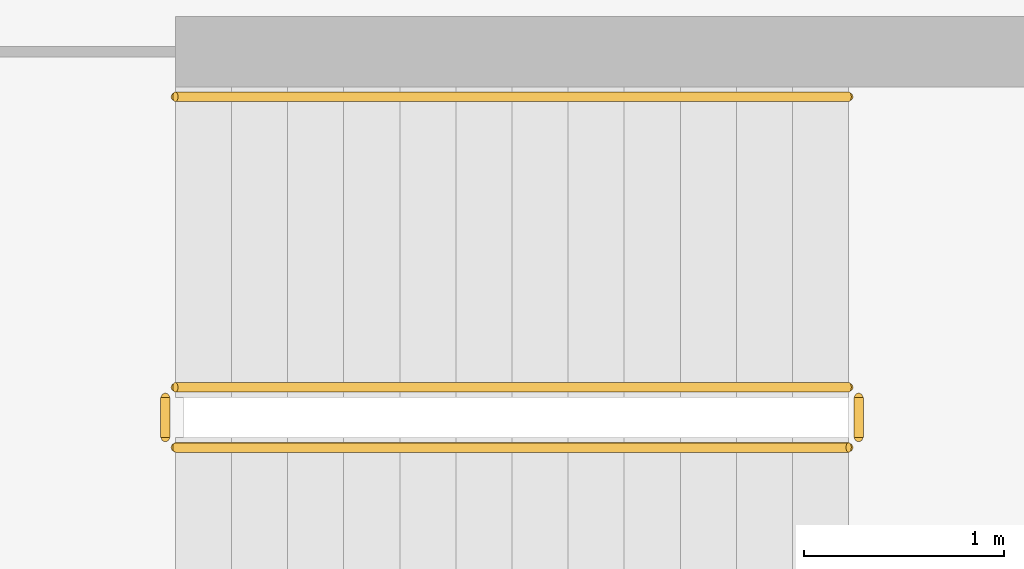
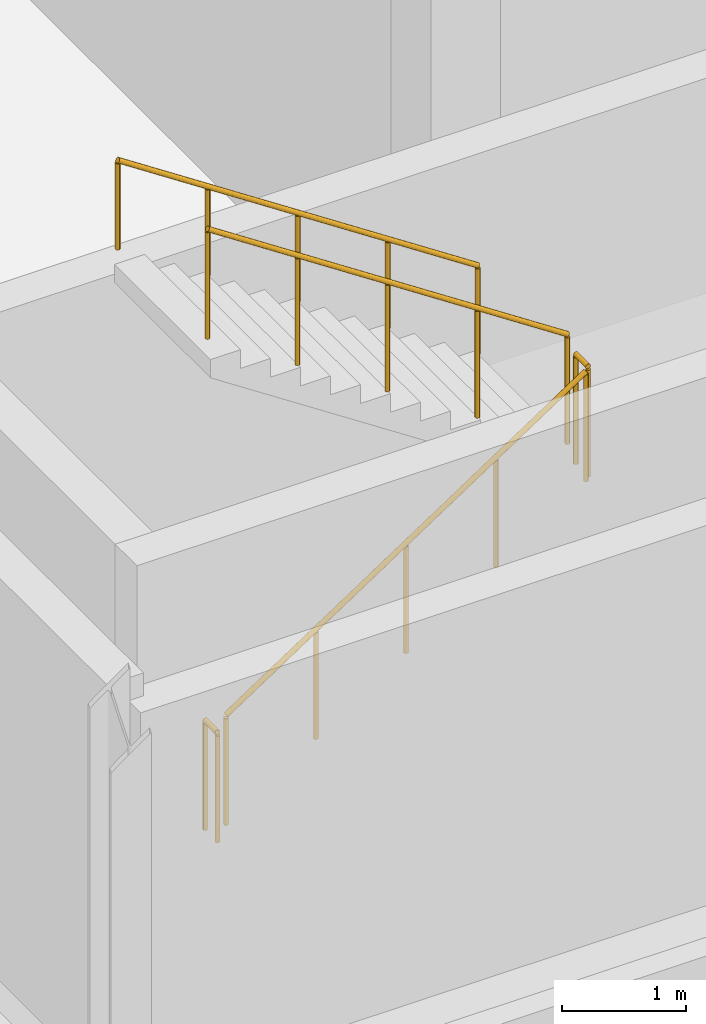
# One storey, part 113 of 127: 5 railings.
"""IFC4 building model written with IfcOpenShell, lengths in metres."""

import ifcopenshell
import ifcopenshell.guid

model = None  # the IFC model being written
_history = None  # IfcOwnerHistory: only IFC2X3 demands one
_inside = {}  # id of a spatial element -> (the spatial element, [elements in it])
_under = {}  # id of a project, library or spatial element -> (it, [spatial elements below it])
_declared = {}  # id of a project -> (the project, [libraries it declares])
_typed = {}  # id of a type object -> (the type object, [elements of that type])
_made_of = {}  # id of a material, layer set ... -> (it, [elements and type objects made of it])


def new_model(schema):
    """Start an empty IFC model of exactly this schema.

    Asked for "IFC4X3", IfcOpenShell would pick the latest addendum, in which some entities
    have other attributes; the version numbers below select the first issue.
    IFC2X3 requires an IfcOwnerHistory on every rooted entity: one is made here for all.
    """
    global model, _history
    if schema == "IFC4X3":
        model = ifcopenshell.file(schema_version=(4, 3, 0, 0))
    else:
        model = ifcopenshell.file(schema=schema)
    _inside.clear()
    _under.clear()
    _declared.clear()
    _typed.clear()
    _made_of.clear()
    _history = None
    if model.schema == "IFC2X3":
        org = make("IfcOrganization", Name="unknown")
        user = make(
            "IfcPersonAndOrganization",
            ThePerson=make("IfcPerson", FamilyName="unknown"),
            TheOrganization=org,
        )
        app = make(
            "IfcApplication",
            ApplicationDeveloper=org,
            Version="unknown",
            ApplicationFullName="unknown",
            ApplicationIdentifier="unknown",
        )
        _history = make(
            "IfcOwnerHistory",
            OwningUser=user,
            OwningApplication=app,
            ChangeAction="ADDED",
            CreationDate=0,
        )
    return model


def make(cls, **values):
    """One entity of the class cls with the attributes given. An attribute that is None is left unset."""
    return model.create_entity(
        cls, **{name: value for name, value in values.items() if value is not None}
    )


def rooted(cls, **values):
    """An entity with a GlobalId (a new one), such as an element, a storey or a relation."""
    return make(cls, GlobalId=ifcopenshell.guid.new(), OwnerHistory=_history, **values)


def si_unit(unit_type, name, prefix=None):
    """IfcSIUnit, for example si_unit("LENGTHUNIT", "METRE", prefix="MILLI")."""
    return make("IfcSIUnit", UnitType=unit_type, Prefix=prefix, Name=name)


def assignment(units):
    """IfcUnitAssignment: the units of a project."""
    return None if units is None else make("IfcUnitAssignment", Units=units)


def point(xyz):
    """IfcCartesianPoint."""
    return None if xyz is None else make("IfcCartesianPoint", Coordinates=xyz)


def direction(xyz):
    """IfcDirection."""
    return None if xyz is None else make("IfcDirection", DirectionRatios=xyz)


def frame(location, z_axis=None, x_axis=None):
    """IfcAxis2Placement3D, a coordinate frame: its origin and axes. An axis left out is left unset."""
    return make(
        "IfcAxis2Placement3D",
        Location=point(location),
        Axis=direction(z_axis),
        RefDirection=direction(x_axis),
    )


def frame_2d(location, x_axis=None):
    """IfcAxis2Placement2D, a coordinate frame in the plane: its origin and x axis."""
    return make(
        "IfcAxis2Placement2D", Location=point(location), RefDirection=direction(x_axis)
    )


def origin():
    """The frame at (0, 0, 0) with its axes left unset."""
    return frame((0.0, 0.0, 0.0))


def origin_2d():
    """The frame at (0, 0) in the plane with its x axis left unset."""
    return frame_2d((0.0, 0.0))


def place(relative_to, where):
    """IfcLocalPlacement: puts the frame where relative to a parent placement (None: the world)."""
    return make(
        "IfcLocalPlacement", PlacementRelTo=relative_to, RelativePlacement=where
    )


def context(
    kind, dimensions, precision=None, world=None, true_north=None, identifier=None
):
    """IfcGeometricRepresentationContext, for example the 3D "Model" context."""
    return make(
        "IfcGeometricRepresentationContext",
        ContextIdentifier=identifier,
        ContextType=kind,
        CoordinateSpaceDimension=dimensions,
        Precision=precision,
        WorldCoordinateSystem=world,
        TrueNorth=true_north,
    )


def subcontext(parent, identifier, kind, view, scale=None):
    """IfcGeometricRepresentationSubContext, for example "Body" below "Model"."""
    return make(
        "IfcGeometricRepresentationSubContext",
        ContextIdentifier=identifier,
        ContextType=kind,
        ParentContext=parent,
        TargetScale=scale,
        TargetView=view,
    )


def project(units=None, contexts=None):
    """IfcProject with its units and contexts."""
    return rooted(
        "IfcProject",
        Name="project",
        RepresentationContexts=contexts,
        UnitsInContext=assignment(units),
    )


def spatial(cls, under=None, at=None, **own):
    """A site, building, storey or space (cls), placed at a placement, below another one or the project."""
    s = rooted(cls, ObjectPlacement=at, **own)
    if under is not None:
        _under.setdefault(under.id(), (under, []))[1].append(s)
    return s


def profile(cls, at=None, kind="AREA", **sizes):
    """A parametric profile (cls). Its sizes go by their IFC names, for example OverallWidth=200.0."""
    return make(cls, ProfileType=kind, Position=at, **sizes)


def circle(**sizes):
    """IfcCircleProfileDef."""
    return profile("IfcCircleProfileDef", **sizes)


def extrude(swept, where, along, depth):
    """IfcExtrudedAreaSolid: the profile swept, set in the frame where, extruded along a direction by depth."""
    return make(
        "IfcExtrudedAreaSolid",
        SweptArea=swept,
        Position=where,
        ExtrudedDirection=direction(along),
        Depth=depth,
    )


def shape(context_of_items, identifier, shape_type, items):
    """IfcShapeRepresentation: the items that make up one representation, for example the "Body"."""
    return make(
        "IfcShapeRepresentation",
        ContextOfItems=context_of_items,
        RepresentationIdentifier=identifier,
        RepresentationType=shape_type,
        Items=items,
    )


def material(Name=None, Category=None):
    """IfcMaterial."""
    return make("IfcMaterial", Name=Name, Category=Category)


def made_of(thing, what):
    """Note that an element or type object is made of a material, layer set ...; save() writes the relation."""
    if what is not None:
        _made_of.setdefault(what.id(), (what, []))[1].append(thing)
    return thing


def type_object(cls, material=None, **own):
    """A type object (cls), such as IfcWallType, which elements share."""
    return made_of(rooted(cls, **own), material)


def element(
    cls,
    number,
    at=None,
    inside=None,
    cuts=None,
    type_object=None,
    material=None,
    context=None,
    identifier="Body",
    shape_type=None,
    held_by="IfcProductDefinitionShape",
    body=None,
    shapes=None,
    **own,
):
    """One element of the class cls, such as IfcWall. Its Tag is "e" and its number.

    at: its placement. inside: the storey or other place that contains it. cuts: it is an
    opening in that element (IfcRelVoidsElement). A single representation is given by context,
    identifier, shape_type and body (its items); several are given by shapes. held_by: the class
    of the entity that holds the representations. save() writes the other relations.
    """
    e = rooted(cls, Tag="e%d" % number, ObjectPlacement=at, **own)
    if body is not None:
        shapes = [shape(context, identifier, shape_type, body)]
    if shapes is not None:
        e.Representation = make(held_by, Representations=shapes)
    if inside is not None:
        _inside.setdefault(inside.id(), (inside, []))[1].append(e)
    if cuts is not None:
        rooted(
            "IfcRelVoidsElement", RelatingBuildingElement=cuts, RelatedOpeningElement=e
        )
    if type_object is not None:
        _typed.setdefault(type_object.id(), (type_object, []))[1].append(e)
    return made_of(e, material)


def aggregate(whole, parts):
    """IfcRelAggregates: a whole, such as a stair, and the parts it consists of."""
    return rooted("IfcRelAggregates", RelatingObject=whole, RelatedObjects=parts)


def save(model, path):
    """Write the relations noted so far, then the file.

    IfcRelAggregates (storeys below a building ...), IfcRelContainedInSpatialStructure (elements
    in a storey), IfcRelDefinesByType, IfcRelAssociatesMaterial and IfcRelDeclares: one each for
    every whole, place, type object, material and project.
    """
    for whole, parts in _under.values():
        aggregate(whole, parts)
    for where, things in _inside.values():
        rooted(
            "IfcRelContainedInSpatialStructure",
            RelatedElements=things,
            RelatingStructure=where,
        )
    for kind, things in _typed.values():
        rooted("IfcRelDefinesByType", RelatedObjects=things, RelatingType=kind)
    for what, things in _made_of.values():
        rooted("IfcRelAssociatesMaterial", RelatedObjects=things, RelatingMaterial=what)
    for by, libraries in _declared.values():
        rooted("IfcRelDeclares", RelatingContext=by, RelatedDefinitions=libraries)
    model.write(path)


model = new_model("IFC4")

# Units and contexts
model_context = context("Model", 3, precision=1e-05, world=origin(), true_north=direction((0.0, 1.0)))
body_context = subcontext(model_context, "Body", "Model", "MODEL_VIEW")
ifc_project = project(units=[si_unit("LENGTHUNIT", "METRE"), si_unit("AREAUNIT", "SQUARE_METRE"), si_unit("VOLUMEUNIT", "CUBIC_METRE"), si_unit("PLANEANGLEUNIT", "RADIAN"), si_unit("MASSUNIT", "GRAM", prefix="KILO")], contexts=[model_context])

# Site, building, storey
site_placement = place(None, origin())
site = spatial("IfcSite", under=ifc_project, at=site_placement, CompositionType="ELEMENT")
building_placement = place(site_placement, origin())
building = spatial("IfcBuilding", under=site, at=building_placement, Name="Kalmorath City Hall", CompositionType="ELEMENT")
storey_placement = place(building_placement, frame((0.0, 0.0, 5.39990234375)))
storey = spatial("IfcBuildingStorey", under=building, at=storey_placement, Name="L01", CompositionType="ELEMENT", Elevation=5.39990234375)

# Railings
ifc_material_1 = material(Name="Painted steel guardrail", Category="steel")
railing_type_1 = type_object("IfcRailingType", Name="Protected stair guardrail 1100", PredefinedType="GUARDRAIL", material=ifc_material_1)
railing_1_placement = place(storey_placement, frame((117.75, 2.699951171875, 0.184814453125)))
element("IfcRailing", 1, at=railing_1_placement, inside=storey, type_object=railing_type_1, Name="L01 ST-5 stair guard 1", PredefinedType="GUARDRAIL", context=body_context, shape_type="SweptSolid", body=[
    extrude(circle(Radius=0.02392578125, at=origin_2d()), frame((0.0, 0.0, 1.076171875), z_axis=(0.834876476806, 0.0, 0.550437342915), x_axis=(0.0, 1.0, 0.0)), (0.0, 0.0, 1.0), 4.024658203125),
    extrude(circle(Radius=0.02099609375, at=origin_2d()), origin(), (0.0, 0.0, 1.0), 1.052001953125),
    extrude(circle(Radius=0.02099609375, at=origin_2d()), frame((0.840087890625, 0.0, 0.5537109375)), (0.0, 0.0, 1.0), 1.052001953125),
    extrude(circle(Radius=0.02099609375, at=origin_2d()), frame((1.68017578125, 0.0, 1.107666015625)), (0.0, 0.0, 1.0), 1.052001953125),
    extrude(circle(Radius=0.02099609375, at=origin_2d()), frame((2.52001953125, 0.0, 1.66162109375)), (0.0, 0.0, 1.0), 1.052001953125),
    extrude(circle(Radius=0.02099609375, at=origin_2d()), frame((3.360107421875, 0.0, 2.21533203125)), (0.0, 0.0, 1.0), 1.052001953125),
])
railing_2_placement = place(storey_placement, frame((121.159912109375, 2.75, 2.400146484375)))
element("IfcRailing", 2, at=railing_2_placement, inside=storey, type_object=railing_type_1, Name="L01 ST-5 stair guard 2", PredefinedType="GUARDRAIL", context=body_context, shape_type="SweptSolid", body=[
    extrude(circle(Radius=0.02392578125, at=origin_2d()), frame((0.0, 0.0, 1.076171875), z_axis=(0.0, 1.0, 0.0), x_axis=(-1.0, 0.0, 0.0)), (0.0, 0.0, 1.0), 0.199951171875),
    extrude(circle(Radius=0.02099609375, at=origin_2d()), origin(), (0.0, 0.0, 1.0), 1.052001953125),
    extrude(circle(Radius=0.02099609375, at=origin_2d()), frame((0.0, 0.199951171875, 0.0)), (0.0, 0.0, 1.0), 1.052001953125),
])
railing_3_placement = place(storey_placement, frame((121.110107421875, 3.0, 2.584716796875)))
element("IfcRailing", 3, at=railing_3_placement, inside=storey, type_object=railing_type_1, Name="L01 ST-5 stair guard 3", PredefinedType="GUARDRAIL", context=body_context, shape_type="SweptSolid", body=[
    extrude(circle(Radius=0.02392578125, at=origin_2d()), frame((0.0, 0.0, 1.076171875), z_axis=(-0.834876476806, 0.0, 0.550437342915), x_axis=(0.0, -1.0, 0.0)), (0.0, 0.0, 1.0), 4.024658203125),
    extrude(circle(Radius=0.02099609375, at=origin_2d()), origin(), (0.0, 0.0, 1.0), 1.052001953125),
    extrude(circle(Radius=0.02099609375, at=origin_2d()), frame((-0.840087890625, 0.0, 0.5537109375)), (0.0, 0.0, 1.0), 1.052001953125),
    extrude(circle(Radius=0.02099609375, at=origin_2d()), frame((-1.68017578125, 0.0, 1.107666015625)), (0.0, 0.0, 1.0), 1.052001953125),
    extrude(circle(Radius=0.02099609375, at=origin_2d()), frame((-2.52001953125, 0.0, 1.66162109375)), (0.0, 0.0, 1.0), 1.052001953125),
    extrude(circle(Radius=0.02099609375, at=origin_2d()), frame((-3.360107421875, 0.0, 2.21533203125)), (0.0, 0.0, 1.0), 1.052001953125),
])
railing_4_placement = place(storey_placement, frame((117.699951171875, 2.75, 0.0)))
element("IfcRailing", 4, at=railing_4_placement, inside=storey, type_object=railing_type_1, Name="L01 ST-5 stair guard 4", PredefinedType="GUARDRAIL", context=body_context, shape_type="SweptSolid", body=[
    extrude(circle(Radius=0.02392578125, at=origin_2d()), frame((0.0, 0.0, 1.076171875), z_axis=(0.0, 1.0, 0.0), x_axis=(-1.0, 0.0, 0.0)), (0.0, 0.0, 1.0), 0.199951171875),
    extrude(circle(Radius=0.02099609375, at=origin_2d()), origin(), (0.0, 0.0, 1.0), 1.052001953125),
    extrude(circle(Radius=0.02099609375, at=origin_2d()), frame((0.0, 0.199951171875, 0.0)), (0.0, 0.0, 1.0), 1.052001953125),
])
ifc_material_2 = material(Name="Brushed stainless steel handrail", Category="steel")
railing_type_2 = type_object("IfcRailingType", Name="Stair pitch handrail 900", PredefinedType="HANDRAIL", material=ifc_material_2)
railing_5_placement = place(storey_placement, frame((121.110107421875, 4.449951171875, 2.584716796875)))
element("IfcRailing", 5, at=railing_5_placement, inside=storey, type_object=railing_type_2, Name="L01 ST-5 stair handrail 2", PredefinedType="HANDRAIL", context=body_context, shape_type="SweptSolid", body=[
    extrude(circle(Radius=0.02392578125, at=origin_2d()), frame((0.0, 0.0, 0.8759765625), z_axis=(-0.834876476806, 0.0, 0.550437342915), x_axis=(0.0, -1.0, 0.0)), (0.0, 0.0, 1.0), 4.024658203125),
    extrude(circle(Radius=0.02099609375, at=origin_2d()), origin(), (0.0, 0.0, 1.0), 0.851806640625),
    extrude(circle(Radius=0.02099609375, at=origin_2d()), frame((-0.840087890625, 0.0, 0.5537109375)), (0.0, 0.0, 1.0), 0.851806640625),
    extrude(circle(Radius=0.02099609375, at=origin_2d()), frame((-1.68017578125, 0.0, 1.107666015625)), (0.0, 0.0, 1.0), 0.851806640625),
    extrude(circle(Radius=0.02099609375, at=origin_2d()), frame((-2.52001953125, 0.0, 1.66162109375)), (0.0, 0.0, 1.0), 0.851806640625),
    extrude(circle(Radius=0.02099609375, at=origin_2d()), frame((-3.360107421875, 0.0, 2.21533203125)), (0.0, 0.0, 1.0), 0.851806640625),
])

save(model, "model.ifc")
